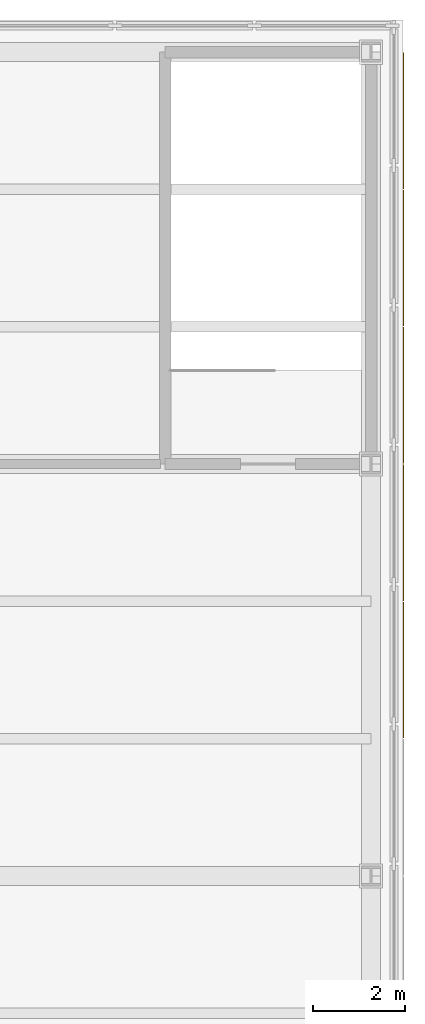
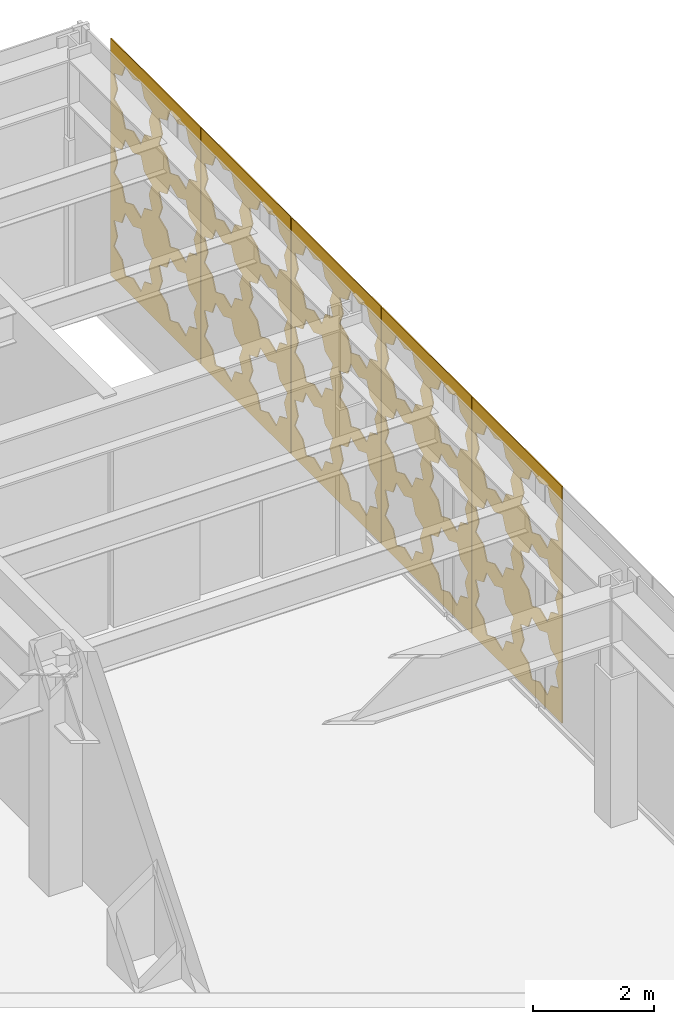
# One storey, part 24 of 24: 5 shading devices.
"""IFC4 building model written with IfcOpenShell, lengths in metres."""

from ifc_helpers import new_model, si_unit, direction, frame, origin, place, context, subcontext, project, spatial, polyline, outline, extrude, material, layer, layer_set, type_object, element, save


model = new_model("IFC4")

# Units and contexts
model_context = context("Model", 3, precision=1e-05, world=origin(), true_north=direction((0.0, 1.0)))
body_context = subcontext(model_context, "Body", "Model", "MODEL_VIEW")
ifc_project = project(units=[si_unit("LENGTHUNIT", "METRE"), si_unit("AREAUNIT", "SQUARE_METRE"), si_unit("VOLUMEUNIT", "CUBIC_METRE"), si_unit("PLANEANGLEUNIT", "RADIAN"), si_unit("MASSUNIT", "GRAM", prefix="KILO")], contexts=[model_context])

# Site, building, storey
site_placement = place(None, origin())
site = spatial("IfcSite", under=ifc_project, at=site_placement, CompositionType="ELEMENT")
building_placement = place(site_placement, origin())
building = spatial("IfcBuilding", under=site, at=building_placement, Name="Chuquiago Exchange Tower", CompositionType="ELEMENT")
storey_placement = place(building_placement, frame((0.0, 0.0, 19.5)))
storey = spatial("IfcBuildingStorey", under=building, at=storey_placement, Name="L03", CompositionType="ELEMENT", Elevation=19.5)

# Shading devices
ifc_material = material(Name="Pale metal, perforated in an eight-point star pattern", Category="aluminium")
ifc_layer = layer(ifc_material, 0.02001953125)
ifc_layer_set = layer_set([ifc_layer], Name="SC1 mashrabiya screen 20")
shading_device_type = type_object("IfcShadingDeviceType", Name="SC1 mashrabiya screen 20", PredefinedType="SHUTTER", material=ifc_layer_set)
shading_device_1_placement = place(storey_placement, frame((54.699951171875, 30.010009765625, -0.199951171875), z_axis=(0.0, 0.0, 1.0), x_axis=(0.0, 1.0, 0.0)))
element("IfcShadingDevice", 1, at=shading_device_1_placement, inside=storey, type_object=shading_device_type, Name="Mashrabiya screen L03 E 17", PredefinedType="SHUTTER", context=body_context, shape_type="SweptSolid", body=[
    extrude(outline(polyline([(0.0, 0.0), (2.97998046875, 0.0), (2.97998046875, 4.800048828125), (0.0, 4.800048828125), (0.0, 0.0)]), holes=[polyline([(1.26953125, 0.909912109375), (1.378173828125, 1.17236328125), (1.115966796875, 1.281005859375), (1.00732421875, 1.543212890625), (0.7451171875, 1.4345703125), (0.482666015625, 1.543212890625), (0.3740234375, 1.281005859375), (0.11181640625, 1.17236328125), (0.220458984375, 0.909912109375), (0.11181640625, 0.647705078125), (0.3740234375, 0.5390625), (0.482666015625, 0.27685546875), (0.7451171875, 0.38525390625), (1.00732421875, 0.27685546875), (1.115966796875, 0.5390625), (1.378173828125, 0.647705078125), (1.26953125, 0.909912109375)]), polyline([(2.759521484375, 0.909912109375), (2.8681640625, 1.17236328125), (2.60595703125, 1.281005859375), (2.497314453125, 1.543212890625), (2.235107421875, 1.4345703125), (1.97265625, 1.543212890625), (1.864013671875, 1.281005859375), (1.601806640625, 1.17236328125), (1.71044921875, 0.909912109375), (1.601806640625, 0.647705078125), (1.864013671875, 0.5390625), (1.97265625, 0.27685546875), (2.235107421875, 0.38525390625), (2.497314453125, 0.27685546875), (2.60595703125, 0.5390625), (2.8681640625, 0.647705078125), (2.759521484375, 0.909912109375)]), polyline([(1.26953125, 2.39990234375), (1.378173828125, 2.662353515625), (1.115966796875, 2.77099609375), (1.00732421875, 3.033203125), (0.7451171875, 2.924560546875), (0.482666015625, 3.033203125), (0.3740234375, 2.77099609375), (0.11181640625, 2.662353515625), (0.220458984375, 2.39990234375), (0.11181640625, 2.1376953125), (0.3740234375, 2.029052734375), (0.482666015625, 1.766845703125), (0.7451171875, 1.875244140625), (1.00732421875, 1.766845703125), (1.115966796875, 2.029052734375), (1.378173828125, 2.1376953125), (1.26953125, 2.39990234375)]), polyline([(2.759521484375, 2.39990234375), (2.8681640625, 2.662353515625), (2.60595703125, 2.77099609375), (2.497314453125, 3.033203125), (2.235107421875, 2.924560546875), (1.97265625, 3.033203125), (1.864013671875, 2.77099609375), (1.601806640625, 2.662353515625), (1.71044921875, 2.39990234375), (1.601806640625, 2.1376953125), (1.864013671875, 2.029052734375), (1.97265625, 1.766845703125), (2.235107421875, 1.875244140625), (2.497314453125, 1.766845703125), (2.60595703125, 2.029052734375), (2.8681640625, 2.1376953125), (2.759521484375, 2.39990234375)]), polyline([(1.26953125, 3.889892578125), (1.378173828125, 4.15234375), (1.115966796875, 4.260986328125), (1.00732421875, 4.523193359375), (0.7451171875, 4.41455078125), (0.482666015625, 4.523193359375), (0.3740234375, 4.260986328125), (0.11181640625, 4.15234375), (0.220458984375, 3.889892578125), (0.11181640625, 3.627685546875), (0.3740234375, 3.51904296875), (0.482666015625, 3.2568359375), (0.7451171875, 3.365234375), (1.00732421875, 3.2568359375), (1.115966796875, 3.51904296875), (1.378173828125, 3.627685546875), (1.26953125, 3.889892578125)]), polyline([(2.759521484375, 3.889892578125), (2.8681640625, 4.15234375), (2.60595703125, 4.260986328125), (2.497314453125, 4.523193359375), (2.235107421875, 4.41455078125), (1.97265625, 4.523193359375), (1.864013671875, 4.260986328125), (1.601806640625, 4.15234375), (1.71044921875, 3.889892578125), (1.601806640625, 3.627685546875), (1.864013671875, 3.51904296875), (1.97265625, 3.2568359375), (2.235107421875, 3.365234375), (2.497314453125, 3.2568359375), (2.60595703125, 3.51904296875), (2.8681640625, 3.627685546875), (2.759521484375, 3.889892578125)])]), frame((0.0, 0.0, 0.0), z_axis=(0.0, -1.0, 0.0), x_axis=(1.0, 0.0, 0.0)), (0.0, 0.0, 1.0), 0.02001953125),
])
shading_device_2_placement = place(storey_placement, frame((54.699951171875, 33.010009765625, -0.199951171875), z_axis=(0.0, 0.0, 1.0), x_axis=(0.0, 1.0, 0.0)))
element("IfcShadingDevice", 2, at=shading_device_2_placement, inside=storey, type_object=shading_device_type, Name="Mashrabiya screen L03 E 18", PredefinedType="SHUTTER", context=body_context, shape_type="SweptSolid", body=[
    extrude(outline(polyline([(0.0, 0.0), (2.97998046875, 0.0), (2.97998046875, 4.800048828125), (0.0, 4.800048828125), (0.0, 0.0)]), holes=[polyline([(1.26953125, 0.909912109375), (1.378173828125, 1.17236328125), (1.115966796875, 1.281005859375), (1.00732421875, 1.543212890625), (0.7451171875, 1.4345703125), (0.482666015625, 1.543212890625), (0.3740234375, 1.281005859375), (0.11181640625, 1.17236328125), (0.220458984375, 0.909912109375), (0.11181640625, 0.647705078125), (0.3740234375, 0.5390625), (0.482666015625, 0.27685546875), (0.7451171875, 0.38525390625), (1.00732421875, 0.27685546875), (1.115966796875, 0.5390625), (1.378173828125, 0.647705078125), (1.26953125, 0.909912109375)]), polyline([(2.759521484375, 0.909912109375), (2.8681640625, 1.17236328125), (2.60595703125, 1.281005859375), (2.497314453125, 1.543212890625), (2.235107421875, 1.4345703125), (1.97265625, 1.543212890625), (1.864013671875, 1.281005859375), (1.601806640625, 1.17236328125), (1.71044921875, 0.909912109375), (1.601806640625, 0.647705078125), (1.864013671875, 0.5390625), (1.97265625, 0.27685546875), (2.235107421875, 0.38525390625), (2.497314453125, 0.27685546875), (2.60595703125, 0.5390625), (2.8681640625, 0.647705078125), (2.759521484375, 0.909912109375)]), polyline([(1.26953125, 2.39990234375), (1.378173828125, 2.662353515625), (1.115966796875, 2.77099609375), (1.00732421875, 3.033203125), (0.7451171875, 2.924560546875), (0.482666015625, 3.033203125), (0.3740234375, 2.77099609375), (0.11181640625, 2.662353515625), (0.220458984375, 2.39990234375), (0.11181640625, 2.1376953125), (0.3740234375, 2.029052734375), (0.482666015625, 1.766845703125), (0.7451171875, 1.875244140625), (1.00732421875, 1.766845703125), (1.115966796875, 2.029052734375), (1.378173828125, 2.1376953125), (1.26953125, 2.39990234375)]), polyline([(2.759521484375, 2.39990234375), (2.8681640625, 2.662353515625), (2.60595703125, 2.77099609375), (2.497314453125, 3.033203125), (2.235107421875, 2.924560546875), (1.97265625, 3.033203125), (1.864013671875, 2.77099609375), (1.601806640625, 2.662353515625), (1.71044921875, 2.39990234375), (1.601806640625, 2.1376953125), (1.864013671875, 2.029052734375), (1.97265625, 1.766845703125), (2.235107421875, 1.875244140625), (2.497314453125, 1.766845703125), (2.60595703125, 2.029052734375), (2.8681640625, 2.1376953125), (2.759521484375, 2.39990234375)]), polyline([(1.26953125, 3.889892578125), (1.378173828125, 4.15234375), (1.115966796875, 4.260986328125), (1.00732421875, 4.523193359375), (0.7451171875, 4.41455078125), (0.482666015625, 4.523193359375), (0.3740234375, 4.260986328125), (0.11181640625, 4.15234375), (0.220458984375, 3.889892578125), (0.11181640625, 3.627685546875), (0.3740234375, 3.51904296875), (0.482666015625, 3.2568359375), (0.7451171875, 3.365234375), (1.00732421875, 3.2568359375), (1.115966796875, 3.51904296875), (1.378173828125, 3.627685546875), (1.26953125, 3.889892578125)]), polyline([(2.759521484375, 3.889892578125), (2.8681640625, 4.15234375), (2.60595703125, 4.260986328125), (2.497314453125, 4.523193359375), (2.235107421875, 4.41455078125), (1.97265625, 4.523193359375), (1.864013671875, 4.260986328125), (1.601806640625, 4.15234375), (1.71044921875, 3.889892578125), (1.601806640625, 3.627685546875), (1.864013671875, 3.51904296875), (1.97265625, 3.2568359375), (2.235107421875, 3.365234375), (2.497314453125, 3.2568359375), (2.60595703125, 3.51904296875), (2.8681640625, 3.627685546875), (2.759521484375, 3.889892578125)])]), frame((0.0, 0.0, 0.0), z_axis=(0.0, -1.0, 0.0), x_axis=(1.0, 0.0, 0.0)), (0.0, 0.0, 1.0), 0.02001953125),
])
shading_device_3_placement = place(storey_placement, frame((54.699951171875, 36.010009765625, -0.199951171875), z_axis=(0.0, 0.0, 1.0), x_axis=(0.0, 1.0, 0.0)))
element("IfcShadingDevice", 3, at=shading_device_3_placement, inside=storey, type_object=shading_device_type, Name="Mashrabiya screen L03 E 19", PredefinedType="SHUTTER", context=body_context, shape_type="SweptSolid", body=[
    extrude(outline(polyline([(0.0, 0.0), (2.97998046875, 0.0), (2.97998046875, 4.800048828125), (0.0, 4.800048828125), (0.0, 0.0)]), holes=[polyline([(1.26953125, 0.909912109375), (1.378173828125, 1.17236328125), (1.115966796875, 1.281005859375), (1.00732421875, 1.543212890625), (0.7451171875, 1.4345703125), (0.482666015625, 1.543212890625), (0.3740234375, 1.281005859375), (0.11181640625, 1.17236328125), (0.220458984375, 0.909912109375), (0.11181640625, 0.647705078125), (0.3740234375, 0.5390625), (0.482666015625, 0.27685546875), (0.7451171875, 0.38525390625), (1.00732421875, 0.27685546875), (1.115966796875, 0.5390625), (1.378173828125, 0.647705078125), (1.26953125, 0.909912109375)]), polyline([(2.759521484375, 0.909912109375), (2.8681640625, 1.17236328125), (2.60595703125, 1.281005859375), (2.497314453125, 1.543212890625), (2.235107421875, 1.4345703125), (1.97265625, 1.543212890625), (1.864013671875, 1.281005859375), (1.601806640625, 1.17236328125), (1.71044921875, 0.909912109375), (1.601806640625, 0.647705078125), (1.864013671875, 0.5390625), (1.97265625, 0.27685546875), (2.235107421875, 0.38525390625), (2.497314453125, 0.27685546875), (2.60595703125, 0.5390625), (2.8681640625, 0.647705078125), (2.759521484375, 0.909912109375)]), polyline([(1.26953125, 2.39990234375), (1.378173828125, 2.662353515625), (1.115966796875, 2.77099609375), (1.00732421875, 3.033203125), (0.7451171875, 2.924560546875), (0.482666015625, 3.033203125), (0.3740234375, 2.77099609375), (0.11181640625, 2.662353515625), (0.220458984375, 2.39990234375), (0.11181640625, 2.1376953125), (0.3740234375, 2.029052734375), (0.482666015625, 1.766845703125), (0.7451171875, 1.875244140625), (1.00732421875, 1.766845703125), (1.115966796875, 2.029052734375), (1.378173828125, 2.1376953125), (1.26953125, 2.39990234375)]), polyline([(2.759521484375, 2.39990234375), (2.8681640625, 2.662353515625), (2.60595703125, 2.77099609375), (2.497314453125, 3.033203125), (2.235107421875, 2.924560546875), (1.97265625, 3.033203125), (1.864013671875, 2.77099609375), (1.601806640625, 2.662353515625), (1.71044921875, 2.39990234375), (1.601806640625, 2.1376953125), (1.864013671875, 2.029052734375), (1.97265625, 1.766845703125), (2.235107421875, 1.875244140625), (2.497314453125, 1.766845703125), (2.60595703125, 2.029052734375), (2.8681640625, 2.1376953125), (2.759521484375, 2.39990234375)]), polyline([(1.26953125, 3.889892578125), (1.378173828125, 4.15234375), (1.115966796875, 4.260986328125), (1.00732421875, 4.523193359375), (0.7451171875, 4.41455078125), (0.482666015625, 4.523193359375), (0.3740234375, 4.260986328125), (0.11181640625, 4.15234375), (0.220458984375, 3.889892578125), (0.11181640625, 3.627685546875), (0.3740234375, 3.51904296875), (0.482666015625, 3.2568359375), (0.7451171875, 3.365234375), (1.00732421875, 3.2568359375), (1.115966796875, 3.51904296875), (1.378173828125, 3.627685546875), (1.26953125, 3.889892578125)]), polyline([(2.759521484375, 3.889892578125), (2.8681640625, 4.15234375), (2.60595703125, 4.260986328125), (2.497314453125, 4.523193359375), (2.235107421875, 4.41455078125), (1.97265625, 4.523193359375), (1.864013671875, 4.260986328125), (1.601806640625, 4.15234375), (1.71044921875, 3.889892578125), (1.601806640625, 3.627685546875), (1.864013671875, 3.51904296875), (1.97265625, 3.2568359375), (2.235107421875, 3.365234375), (2.497314453125, 3.2568359375), (2.60595703125, 3.51904296875), (2.8681640625, 3.627685546875), (2.759521484375, 3.889892578125)])]), frame((0.0, 0.0, 0.0), z_axis=(0.0, -1.0, 0.0), x_axis=(1.0, 0.0, 0.0)), (0.0, 0.0, 1.0), 0.02001953125),
])
shading_device_4_placement = place(storey_placement, frame((54.699951171875, 39.010009765625, -0.199951171875), z_axis=(0.0, 0.0, 1.0), x_axis=(0.0, 1.0, 0.0)))
element("IfcShadingDevice", 4, at=shading_device_4_placement, inside=storey, type_object=shading_device_type, Name="Mashrabiya screen L03 E 20", PredefinedType="SHUTTER", context=body_context, shape_type="SweptSolid", body=[
    extrude(outline(polyline([(0.0, 0.0), (2.97998046875, 0.0), (2.97998046875, 4.800048828125), (0.0, 4.800048828125), (0.0, 0.0)]), holes=[polyline([(1.26953125, 0.909912109375), (1.378173828125, 1.17236328125), (1.115966796875, 1.281005859375), (1.00732421875, 1.543212890625), (0.7451171875, 1.4345703125), (0.482666015625, 1.543212890625), (0.3740234375, 1.281005859375), (0.11181640625, 1.17236328125), (0.220458984375, 0.909912109375), (0.11181640625, 0.647705078125), (0.3740234375, 0.5390625), (0.482666015625, 0.27685546875), (0.7451171875, 0.38525390625), (1.00732421875, 0.27685546875), (1.115966796875, 0.5390625), (1.378173828125, 0.647705078125), (1.26953125, 0.909912109375)]), polyline([(2.759521484375, 0.909912109375), (2.8681640625, 1.17236328125), (2.60595703125, 1.281005859375), (2.497314453125, 1.543212890625), (2.235107421875, 1.4345703125), (1.97265625, 1.543212890625), (1.864013671875, 1.281005859375), (1.601806640625, 1.17236328125), (1.71044921875, 0.909912109375), (1.601806640625, 0.647705078125), (1.864013671875, 0.5390625), (1.97265625, 0.27685546875), (2.235107421875, 0.38525390625), (2.497314453125, 0.27685546875), (2.60595703125, 0.5390625), (2.8681640625, 0.647705078125), (2.759521484375, 0.909912109375)]), polyline([(1.26953125, 2.39990234375), (1.378173828125, 2.662353515625), (1.115966796875, 2.77099609375), (1.00732421875, 3.033203125), (0.7451171875, 2.924560546875), (0.482666015625, 3.033203125), (0.3740234375, 2.77099609375), (0.11181640625, 2.662353515625), (0.220458984375, 2.39990234375), (0.11181640625, 2.1376953125), (0.3740234375, 2.029052734375), (0.482666015625, 1.766845703125), (0.7451171875, 1.875244140625), (1.00732421875, 1.766845703125), (1.115966796875, 2.029052734375), (1.378173828125, 2.1376953125), (1.26953125, 2.39990234375)]), polyline([(2.759521484375, 2.39990234375), (2.8681640625, 2.662353515625), (2.60595703125, 2.77099609375), (2.497314453125, 3.033203125), (2.235107421875, 2.924560546875), (1.97265625, 3.033203125), (1.864013671875, 2.77099609375), (1.601806640625, 2.662353515625), (1.71044921875, 2.39990234375), (1.601806640625, 2.1376953125), (1.864013671875, 2.029052734375), (1.97265625, 1.766845703125), (2.235107421875, 1.875244140625), (2.497314453125, 1.766845703125), (2.60595703125, 2.029052734375), (2.8681640625, 2.1376953125), (2.759521484375, 2.39990234375)]), polyline([(1.26953125, 3.889892578125), (1.378173828125, 4.15234375), (1.115966796875, 4.260986328125), (1.00732421875, 4.523193359375), (0.7451171875, 4.41455078125), (0.482666015625, 4.523193359375), (0.3740234375, 4.260986328125), (0.11181640625, 4.15234375), (0.220458984375, 3.889892578125), (0.11181640625, 3.627685546875), (0.3740234375, 3.51904296875), (0.482666015625, 3.2568359375), (0.7451171875, 3.365234375), (1.00732421875, 3.2568359375), (1.115966796875, 3.51904296875), (1.378173828125, 3.627685546875), (1.26953125, 3.889892578125)]), polyline([(2.759521484375, 3.889892578125), (2.8681640625, 4.15234375), (2.60595703125, 4.260986328125), (2.497314453125, 4.523193359375), (2.235107421875, 4.41455078125), (1.97265625, 4.523193359375), (1.864013671875, 4.260986328125), (1.601806640625, 4.15234375), (1.71044921875, 3.889892578125), (1.601806640625, 3.627685546875), (1.864013671875, 3.51904296875), (1.97265625, 3.2568359375), (2.235107421875, 3.365234375), (2.497314453125, 3.2568359375), (2.60595703125, 3.51904296875), (2.8681640625, 3.627685546875), (2.759521484375, 3.889892578125)])]), frame((0.0, 0.0, 0.0), z_axis=(0.0, -1.0, 0.0), x_axis=(1.0, 0.0, 0.0)), (0.0, 0.0, 1.0), 0.02001953125),
])
shading_device_5_placement = place(storey_placement, frame((54.699951171875, 42.010009765625, -0.199951171875), z_axis=(0.0, 0.0, 1.0), x_axis=(0.0, 1.0, 0.0)))
element("IfcShadingDevice", 5, at=shading_device_5_placement, inside=storey, type_object=shading_device_type, Name="Mashrabiya screen L03 E 21", PredefinedType="SHUTTER", context=body_context, shape_type="SweptSolid", body=[
    extrude(outline(polyline([(0.0, 0.0), (2.97998046875, 0.0), (2.97998046875, 4.800048828125), (0.0, 4.800048828125), (0.0, 0.0)]), holes=[polyline([(1.26953125, 0.909912109375), (1.378173828125, 1.17236328125), (1.115966796875, 1.281005859375), (1.00732421875, 1.543212890625), (0.7451171875, 1.4345703125), (0.482666015625, 1.543212890625), (0.3740234375, 1.281005859375), (0.11181640625, 1.17236328125), (0.220458984375, 0.909912109375), (0.11181640625, 0.647705078125), (0.3740234375, 0.5390625), (0.482666015625, 0.27685546875), (0.7451171875, 0.38525390625), (1.00732421875, 0.27685546875), (1.115966796875, 0.5390625), (1.378173828125, 0.647705078125), (1.26953125, 0.909912109375)]), polyline([(2.759521484375, 0.909912109375), (2.8681640625, 1.17236328125), (2.60595703125, 1.281005859375), (2.497314453125, 1.543212890625), (2.235107421875, 1.4345703125), (1.97265625, 1.543212890625), (1.864013671875, 1.281005859375), (1.601806640625, 1.17236328125), (1.71044921875, 0.909912109375), (1.601806640625, 0.647705078125), (1.864013671875, 0.5390625), (1.97265625, 0.27685546875), (2.235107421875, 0.38525390625), (2.497314453125, 0.27685546875), (2.60595703125, 0.5390625), (2.8681640625, 0.647705078125), (2.759521484375, 0.909912109375)]), polyline([(1.26953125, 2.39990234375), (1.378173828125, 2.662353515625), (1.115966796875, 2.77099609375), (1.00732421875, 3.033203125), (0.7451171875, 2.924560546875), (0.482666015625, 3.033203125), (0.3740234375, 2.77099609375), (0.11181640625, 2.662353515625), (0.220458984375, 2.39990234375), (0.11181640625, 2.1376953125), (0.3740234375, 2.029052734375), (0.482666015625, 1.766845703125), (0.7451171875, 1.875244140625), (1.00732421875, 1.766845703125), (1.115966796875, 2.029052734375), (1.378173828125, 2.1376953125), (1.26953125, 2.39990234375)]), polyline([(2.759521484375, 2.39990234375), (2.8681640625, 2.662353515625), (2.60595703125, 2.77099609375), (2.497314453125, 3.033203125), (2.235107421875, 2.924560546875), (1.97265625, 3.033203125), (1.864013671875, 2.77099609375), (1.601806640625, 2.662353515625), (1.71044921875, 2.39990234375), (1.601806640625, 2.1376953125), (1.864013671875, 2.029052734375), (1.97265625, 1.766845703125), (2.235107421875, 1.875244140625), (2.497314453125, 1.766845703125), (2.60595703125, 2.029052734375), (2.8681640625, 2.1376953125), (2.759521484375, 2.39990234375)]), polyline([(1.26953125, 3.889892578125), (1.378173828125, 4.15234375), (1.115966796875, 4.260986328125), (1.00732421875, 4.523193359375), (0.7451171875, 4.41455078125), (0.482666015625, 4.523193359375), (0.3740234375, 4.260986328125), (0.11181640625, 4.15234375), (0.220458984375, 3.889892578125), (0.11181640625, 3.627685546875), (0.3740234375, 3.51904296875), (0.482666015625, 3.2568359375), (0.7451171875, 3.365234375), (1.00732421875, 3.2568359375), (1.115966796875, 3.51904296875), (1.378173828125, 3.627685546875), (1.26953125, 3.889892578125)]), polyline([(2.759521484375, 3.889892578125), (2.8681640625, 4.15234375), (2.60595703125, 4.260986328125), (2.497314453125, 4.523193359375), (2.235107421875, 4.41455078125), (1.97265625, 4.523193359375), (1.864013671875, 4.260986328125), (1.601806640625, 4.15234375), (1.71044921875, 3.889892578125), (1.601806640625, 3.627685546875), (1.864013671875, 3.51904296875), (1.97265625, 3.2568359375), (2.235107421875, 3.365234375), (2.497314453125, 3.2568359375), (2.60595703125, 3.51904296875), (2.8681640625, 3.627685546875), (2.759521484375, 3.889892578125)])]), frame((0.0, 0.0, 0.0), z_axis=(0.0, -1.0, 0.0), x_axis=(1.0, 0.0, 0.0)), (0.0, 0.0, 1.0), 0.02001953125),
])

save(model, "model.ifc")
